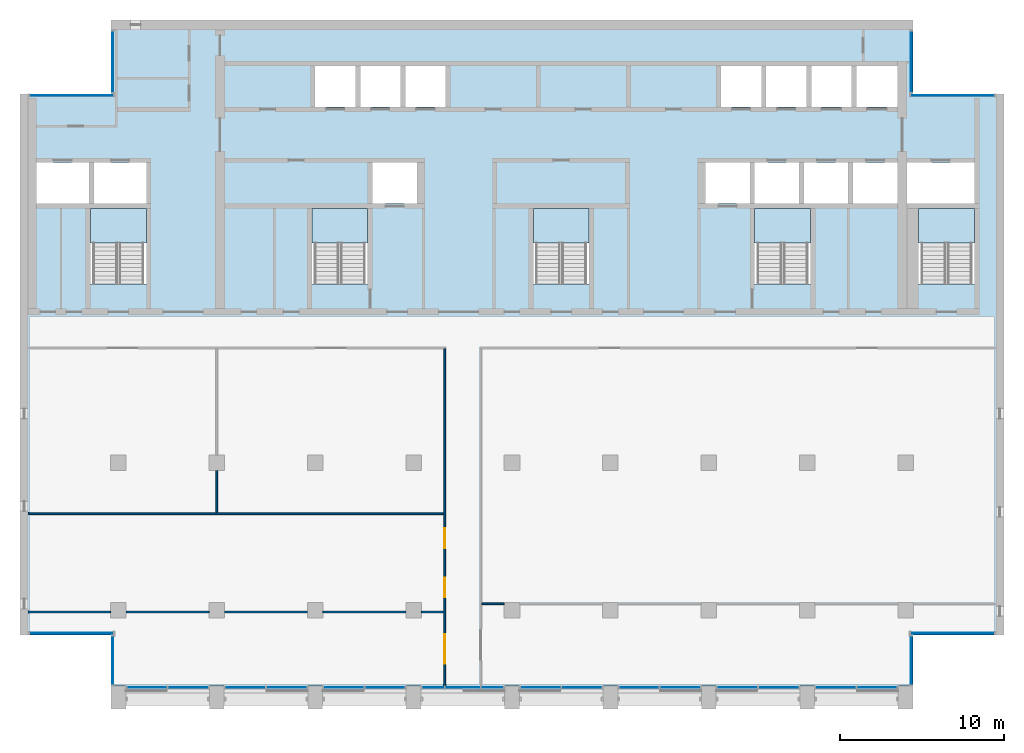
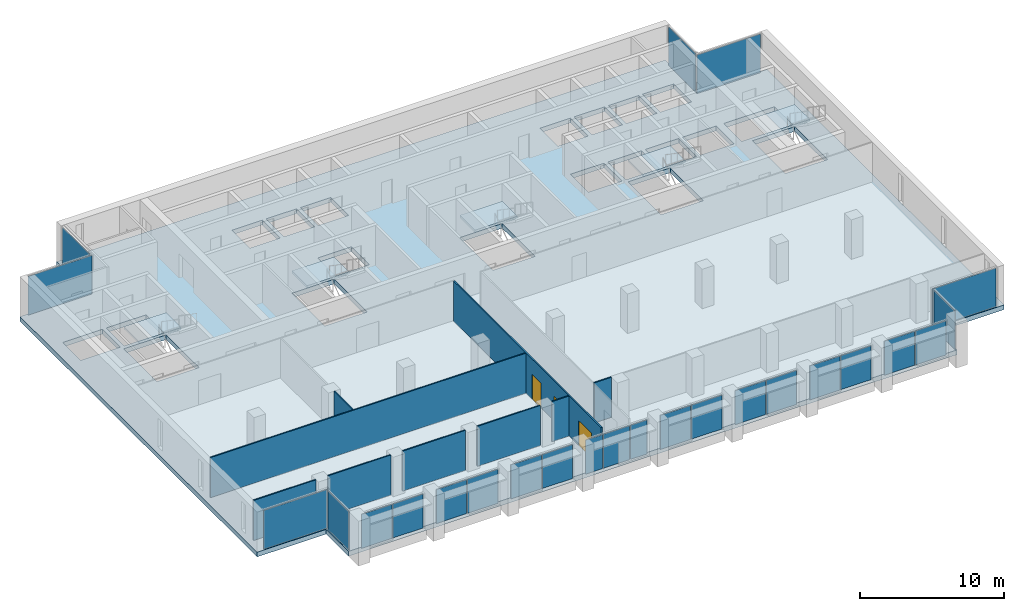
# One storey, part 6 of 14: 25 plates, 9 walls, 6 slabs, 3 doors, 3 openings, 21 elements without a shape of their own.
"""IFC4 building model written with IfcOpenShell, lengths in metres."""

from ifc_helpers import new_model, si_unit, direction, frame, frame_2d, origin, origin_2d, place, context, subcontext, project, spatial, polyline, rectangle, outline, extrude, material, layer, layer_set, type_object, element, fill, aggregate, save


model = new_model("IFC4")

# Units and contexts
model_context = context("Model", 3, precision=1e-05, world=origin(), true_north=direction((0.0, 1.0)))
body_context = subcontext(model_context, "Body", "Model", "MODEL_VIEW")
ifc_project = project(units=[si_unit("LENGTHUNIT", "METRE"), si_unit("AREAUNIT", "SQUARE_METRE"), si_unit("VOLUMEUNIT", "CUBIC_METRE"), si_unit("PLANEANGLEUNIT", "RADIAN"), si_unit("MASSUNIT", "GRAM", prefix="KILO")], contexts=[model_context])

# Site, building, storey
site_placement = place(None, origin())
site = spatial("IfcSite", under=ifc_project, at=site_placement, CompositionType="ELEMENT")
building_placement = place(site_placement, origin())
building = spatial("IfcBuilding", under=site, at=building_placement, Name="Calvaro Tower", CompositionType="ELEMENT")
storey_placement = place(building_placement, frame((0.0, 0.0, 235.550048828125)))
storey = spatial("IfcBuildingStorey", under=building, at=storey_placement, Name="L59", CompositionType="ELEMENT", Elevation=235.550048828125)

# Slab
ifc_material_1 = material(Name="Concrete C40/50", Category="concrete")
ifc_layer_1 = layer(ifc_material_1, 0.39990234375)
ifc_layer_set_1 = layer_set([ifc_layer_1], Name="Concrete C40/50")
slab_type_1 = type_object("IfcSlabType", Name="Floor slab 400 C40/50", PredefinedType="FLOOR", material=ifc_layer_set_1)
slab_1_placement = place(storey_placement, frame((0.0, 0.0, -0.400146484375)))
element("IfcSlab", 1, at=slab_1_placement, inside=storey, type_object=slab_type_1, Name="Floor slab", PredefinedType="FLOOR", context=body_context, shape_type="SweptSolid", body=[
    extrude(outline(polyline([(60.449951171875, 8.5), (60.449951171875, 5.39990234375), (11.550048828125, 5.39990234375), (11.550048828125, 8.5), (6.0, 8.5), (6.0, 41.5), (11.550048828125, 41.5), (11.550048828125, 46.0), (60.449951171875, 46.0), (60.449951171875, 41.5), (66.0, 41.5), (66.0, 8.5), (60.449951171875, 8.5)]), holes=[polyline([(10.300048828125, 29.909912109375), (10.300048828125, 34.5), (12.0, 34.5), (13.699951171875, 34.5), (13.699951171875, 29.909912109375), (12.0, 29.909912109375), (10.300048828125, 29.909912109375)]), polyline([(23.800048828125, 29.909912109375), (23.800048828125, 34.5), (25.5, 34.5), (27.199951171875, 34.5), (27.199951171875, 29.909912109375), (25.5, 29.909912109375), (23.800048828125, 29.909912109375)]), polyline([(37.300048828125, 29.909912109375), (37.300048828125, 34.5), (39.0, 34.5), (40.699951171875, 34.5), (40.699951171875, 29.909912109375), (39.0, 29.909912109375), (37.300048828125, 29.909912109375)]), polyline([(50.800048828125, 29.909912109375), (50.800048828125, 34.5), (52.5, 34.5), (54.199951171875, 34.5), (54.199951171875, 29.909912109375), (52.5, 29.909912109375), (50.800048828125, 29.909912109375)]), polyline([(60.800048828125, 29.909912109375), (60.800048828125, 34.5), (62.5, 34.5), (64.199951171875, 34.5), (64.199951171875, 29.909912109375), (62.5, 29.909912109375), (60.800048828125, 29.909912109375)]), polyline([(50.800048828125, 34.800048828125), (53.5, 34.800048828125), (53.5, 37.300048828125), (50.800048828125, 37.300048828125), (50.800048828125, 34.800048828125)]), polyline([(53.800048828125, 34.800048828125), (56.5, 34.800048828125), (56.5, 37.300048828125), (53.800048828125, 37.300048828125), (53.800048828125, 34.800048828125)]), polyline([(56.800048828125, 34.800048828125), (59.5, 34.800048828125), (59.5, 37.300048828125), (56.800048828125, 37.300048828125), (56.800048828125, 34.800048828125)]), polyline([(24.0, 40.699951171875), (26.449951171875, 40.699951171875), (26.449951171875, 43.199951171875), (24.0, 43.199951171875), (24.0, 40.699951171875)]), polyline([(26.75, 40.699951171875), (29.199951171875, 40.699951171875), (29.199951171875, 43.199951171875), (26.75, 43.199951171875), (26.75, 40.699951171875)]), polyline([(29.5, 40.699951171875), (31.949951171875, 40.699951171875), (31.949951171875, 43.199951171875), (29.5, 43.199951171875), (29.5, 40.699951171875)]), polyline([(48.75, 40.699951171875), (51.199951171875, 40.699951171875), (51.199951171875, 43.199951171875), (48.75, 43.199951171875), (48.75, 40.699951171875)]), polyline([(51.5, 40.699951171875), (53.949951171875, 40.699951171875), (53.949951171875, 43.199951171875), (51.5, 43.199951171875), (51.5, 40.699951171875)]), polyline([(54.25, 40.699951171875), (56.699951171875, 40.699951171875), (56.699951171875, 43.199951171875), (54.25, 43.199951171875), (54.25, 40.699951171875)]), polyline([(57.0, 40.699951171875), (59.5, 40.699951171875), (59.5, 43.199951171875), (57.0, 43.199951171875), (57.0, 40.699951171875)]), polyline([(7.0, 34.800048828125), (10.199951171875, 34.800048828125), (10.199951171875, 37.300048828125), (7.0, 37.300048828125), (7.0, 34.800048828125)]), polyline([(10.5, 34.800048828125), (13.699951171875, 34.800048828125), (13.699951171875, 37.300048828125), (10.5, 37.300048828125), (10.5, 34.800048828125)]), polyline([(60.10009765625, 34.800048828125), (64.199951171875, 34.800048828125), (64.199951171875, 37.300048828125), (60.10009765625, 37.300048828125), (60.10009765625, 34.800048828125)]), polyline([(27.5, 34.800048828125), (30.199951171875, 34.800048828125), (30.199951171875, 37.300048828125), (27.5, 37.300048828125), (27.5, 34.800048828125)]), polyline([(47.800048828125, 34.800048828125), (50.5, 34.800048828125), (50.5, 37.300048828125), (47.800048828125, 37.300048828125), (47.800048828125, 34.800048828125)])]), origin(), (0.0, 0.0, 1.0), 0.400146484375),
])

# Curtain wall, plates
ifc_material_2 = material(Name="Anodised aluminium", Category="aluminium")
curtain_wall_type = type_object("IfcCurtainWallType", Name="Executive curtain wall", PredefinedType="NOTDEFINED", material=ifc_material_2)
curtain_wall_1_placement = place(storey_placement, origin())
curtain_wall_1 = element("IfcCurtainWall", 2, at=curtain_wall_1_placement, inside=storey, type_object=curtain_wall_type, Name="CW4 south curtain wall", PredefinedType="NOTDEFINED")
ifc_material_3 = material(Name="Glass", Category="glass")
ifc_layer_2 = layer(ifc_material_3, 0.0400390625)
ifc_layer_set_2 = layer_set([ifc_layer_2], Name="Glass")
plate_type = type_object("IfcPlateType", Name="Glass panel S4 40", PredefinedType="CURTAIN_PANEL", material=ifc_layer_set_2)
plate_1_placement = place(storey_placement, frame((13.7451171875, 5.2900390625, 0.0), z_axis=(0.0, 0.0, 1.0), x_axis=(1.0, 0.0, 0.0)))
plate_1 = element("IfcPlate", 3, at=plate_1_placement, type_object=plate_type, Name="CW4 glass panel 1.1", PredefinedType="CURTAIN_PANEL", context=body_context, shape_type="SweptSolid", body=[
    extrude(rectangle(XDim=2.429931640625, YDim=0.0400390625, at=origin_2d()), origin(), (0.0, 0.0, 1.0), 2.8798828125),
])
plate_2_placement = place(storey_placement, frame((16.2548828125, 5.2900390625, 0.0), z_axis=(0.0, 0.0, 1.0), x_axis=(1.0, 0.0, 0.0)))
plate_2 = element("IfcPlate", 4, at=plate_2_placement, type_object=plate_type, Name="CW4 glass panel 2.1", PredefinedType="CURTAIN_PANEL", context=body_context, shape_type="SweptSolid", body=[
    extrude(rectangle(XDim=2.429931640625, YDim=0.0400390625, at=origin_2d()), origin(), (0.0, 0.0, 1.0), 2.8798828125),
])
aggregate(curtain_wall_1, [plate_1, plate_2])

curtain_wall_2_placement = place(storey_placement, origin())
curtain_wall_2 = element("IfcCurtainWall", 5, at=curtain_wall_2_placement, inside=storey, type_object=curtain_wall_type, Name="CW4 south curtain wall", PredefinedType="NOTDEFINED")
plate_3_placement = place(storey_placement, frame((19.7451171875, 5.2900390625, 0.0), z_axis=(0.0, 0.0, 1.0), x_axis=(1.0, 0.0, 0.0)))
plate_3 = element("IfcPlate", 6, at=plate_3_placement, type_object=plate_type, Name="CW4 glass panel 1.1", PredefinedType="CURTAIN_PANEL", context=body_context, shape_type="SweptSolid", body=[
    extrude(rectangle(XDim=2.429931640625, YDim=0.0400390625, at=origin_2d()), origin(), (0.0, 0.0, 1.0), 2.8798828125),
])
plate_4_placement = place(storey_placement, frame((22.2548828125, 5.2900390625, 0.0), z_axis=(0.0, 0.0, 1.0), x_axis=(1.0, 0.0, 0.0)))
plate_4 = element("IfcPlate", 7, at=plate_4_placement, type_object=plate_type, Name="CW4 glass panel 2.1", PredefinedType="CURTAIN_PANEL", context=body_context, shape_type="SweptSolid", body=[
    extrude(rectangle(XDim=2.429931640625, YDim=0.0400390625, at=origin_2d()), origin(), (0.0, 0.0, 1.0), 2.8798828125),
])
aggregate(curtain_wall_2, [plate_3, plate_4])

curtain_wall_3_placement = place(storey_placement, origin())
curtain_wall_3 = element("IfcCurtainWall", 8, at=curtain_wall_3_placement, inside=storey, type_object=curtain_wall_type, Name="CW4 south curtain wall", PredefinedType="NOTDEFINED")
plate_5_placement = place(storey_placement, frame((25.7451171875, 5.2900390625, 0.0), z_axis=(0.0, 0.0, 1.0), x_axis=(1.0, 0.0, 0.0)))
plate_5 = element("IfcPlate", 9, at=plate_5_placement, type_object=plate_type, Name="CW4 glass panel 1.1", PredefinedType="CURTAIN_PANEL", context=body_context, shape_type="SweptSolid", body=[
    extrude(rectangle(XDim=2.429931640625, YDim=0.0400390625, at=origin_2d()), origin(), (0.0, 0.0, 1.0), 2.8798828125),
])
plate_6_placement = place(storey_placement, frame((28.2548828125, 5.2900390625, 0.0), z_axis=(0.0, 0.0, 1.0), x_axis=(1.0, 0.0, 0.0)))
plate_6 = element("IfcPlate", 10, at=plate_6_placement, type_object=plate_type, Name="CW4 glass panel 2.1", PredefinedType="CURTAIN_PANEL", context=body_context, shape_type="SweptSolid", body=[
    extrude(rectangle(XDim=2.429931640625, YDim=0.0400390625, at=origin_2d()), origin(), (0.0, 0.0, 1.0), 2.8798828125),
])
aggregate(curtain_wall_3, [plate_5, plate_6])

curtain_wall_4_placement = place(storey_placement, origin())
curtain_wall_4 = element("IfcCurtainWall", 11, at=curtain_wall_4_placement, inside=storey, type_object=curtain_wall_type, Name="CW4 south curtain wall", PredefinedType="NOTDEFINED")
plate_7_placement = place(storey_placement, frame((31.195068359375, 5.2900390625, 0.0), z_axis=(0.0, 0.0, 1.0), x_axis=(1.0, 0.0, 0.0)))
plate_7 = element("IfcPlate", 12, at=plate_7_placement, type_object=plate_type, Name="CW4 glass panel 1.1", PredefinedType="CURTAIN_PANEL", context=body_context, shape_type="SweptSolid", body=[
    extrude(rectangle(XDim=1.330078125, YDim=0.0400390625, at=origin_2d()), origin(), (0.0, 0.0, 1.0), 2.8798828125),
])
plate_8_placement = place(storey_placement, frame((33.0, 5.2900390625, 0.0), z_axis=(0.0, 0.0, 1.0), x_axis=(1.0, 0.0, 0.0)))
plate_8 = element("IfcPlate", 13, at=plate_8_placement, type_object=plate_type, Name="CW4 glass panel 2.1", PredefinedType="CURTAIN_PANEL", context=body_context, shape_type="SweptSolid", body=[
    extrude(rectangle(XDim=2.1201171875, YDim=0.0400390625, at=origin_2d()), origin(), (0.0, 0.0, 1.0), 2.8798828125),
])
plate_9_placement = place(storey_placement, frame((34.804931640625, 5.2900390625, 0.0), z_axis=(0.0, 0.0, 1.0), x_axis=(1.0, 0.0, 0.0)))
plate_9 = element("IfcPlate", 14, at=plate_9_placement, type_object=plate_type, Name="CW4 glass panel 3.1", PredefinedType="CURTAIN_PANEL", context=body_context, shape_type="SweptSolid", body=[
    extrude(rectangle(XDim=1.330078125, YDim=0.0400390625, at=origin_2d()), origin(), (0.0, 0.0, 1.0), 2.8798828125),
])
aggregate(curtain_wall_4, [plate_7, plate_8, plate_9])

curtain_wall_5_placement = place(storey_placement, origin())
curtain_wall_5 = element("IfcCurtainWall", 15, at=curtain_wall_5_placement, inside=storey, type_object=curtain_wall_type, Name="CW4 south curtain wall", PredefinedType="NOTDEFINED")
plate_10_placement = place(storey_placement, frame((37.7451171875, 5.2900390625, 0.0), z_axis=(0.0, 0.0, 1.0), x_axis=(1.0, 0.0, 0.0)))
plate_10 = element("IfcPlate", 16, at=plate_10_placement, type_object=plate_type, Name="CW4 glass panel 1.1", PredefinedType="CURTAIN_PANEL", context=body_context, shape_type="SweptSolid", body=[
    extrude(rectangle(XDim=2.429931640625, YDim=0.0400390625, at=origin_2d()), origin(), (0.0, 0.0, 1.0), 2.8798828125),
])
plate_11_placement = place(storey_placement, frame((40.2548828125, 5.2900390625, 0.0), z_axis=(0.0, 0.0, 1.0), x_axis=(1.0, 0.0, 0.0)))
plate_11 = element("IfcPlate", 17, at=plate_11_placement, type_object=plate_type, Name="CW4 glass panel 2.1", PredefinedType="CURTAIN_PANEL", context=body_context, shape_type="SweptSolid", body=[
    extrude(rectangle(XDim=2.429931640625, YDim=0.0400390625, at=origin_2d()), origin(), (0.0, 0.0, 1.0), 2.8798828125),
])
aggregate(curtain_wall_5, [plate_10, plate_11])

curtain_wall_6_placement = place(storey_placement, origin())
curtain_wall_6 = element("IfcCurtainWall", 18, at=curtain_wall_6_placement, inside=storey, type_object=curtain_wall_type, Name="CW4 south curtain wall", PredefinedType="NOTDEFINED")
plate_12_placement = place(storey_placement, frame((43.7451171875, 5.2900390625, 0.0), z_axis=(0.0, 0.0, 1.0), x_axis=(1.0, 0.0, 0.0)))
plate_12 = element("IfcPlate", 19, at=plate_12_placement, type_object=plate_type, Name="CW4 glass panel 1.1", PredefinedType="CURTAIN_PANEL", context=body_context, shape_type="SweptSolid", body=[
    extrude(rectangle(XDim=2.429931640625, YDim=0.0400390625, at=origin_2d()), origin(), (0.0, 0.0, 1.0), 2.8798828125),
])
plate_13_placement = place(storey_placement, frame((46.2548828125, 5.2900390625, 0.0), z_axis=(0.0, 0.0, 1.0), x_axis=(1.0, 0.0, 0.0)))
plate_13 = element("IfcPlate", 20, at=plate_13_placement, type_object=plate_type, Name="CW4 glass panel 2.1", PredefinedType="CURTAIN_PANEL", context=body_context, shape_type="SweptSolid", body=[
    extrude(rectangle(XDim=2.429931640625, YDim=0.0400390625, at=origin_2d()), origin(), (0.0, 0.0, 1.0), 2.8798828125),
])
aggregate(curtain_wall_6, [plate_12, plate_13])

curtain_wall_7_placement = place(storey_placement, origin())
curtain_wall_7 = element("IfcCurtainWall", 21, at=curtain_wall_7_placement, inside=storey, type_object=curtain_wall_type, Name="CW4 south curtain wall", PredefinedType="NOTDEFINED")
plate_14_placement = place(storey_placement, frame((49.7451171875, 5.2900390625, 0.0), z_axis=(0.0, 0.0, 1.0), x_axis=(1.0, 0.0, 0.0)))
plate_14 = element("IfcPlate", 22, at=plate_14_placement, type_object=plate_type, Name="CW4 glass panel 1.1", PredefinedType="CURTAIN_PANEL", context=body_context, shape_type="SweptSolid", body=[
    extrude(rectangle(XDim=2.429931640625, YDim=0.0400390625, at=origin_2d()), origin(), (0.0, 0.0, 1.0), 2.8798828125),
])
plate_15_placement = place(storey_placement, frame((52.2548828125, 5.2900390625, 0.0), z_axis=(0.0, 0.0, 1.0), x_axis=(1.0, 0.0, 0.0)))
plate_15 = element("IfcPlate", 23, at=plate_15_placement, type_object=plate_type, Name="CW4 glass panel 2.1", PredefinedType="CURTAIN_PANEL", context=body_context, shape_type="SweptSolid", body=[
    extrude(rectangle(XDim=2.429931640625, YDim=0.0400390625, at=origin_2d()), origin(), (0.0, 0.0, 1.0), 2.8798828125),
])
aggregate(curtain_wall_7, [plate_14, plate_15])

curtain_wall_8_placement = place(storey_placement, origin())
curtain_wall_8 = element("IfcCurtainWall", 24, at=curtain_wall_8_placement, inside=storey, type_object=curtain_wall_type, Name="CW4 south curtain wall", PredefinedType="NOTDEFINED")
plate_16_placement = place(storey_placement, frame((55.7451171875, 5.2900390625, 0.0), z_axis=(0.0, 0.0, 1.0), x_axis=(1.0, 0.0, 0.0)))
plate_16 = element("IfcPlate", 25, at=plate_16_placement, type_object=plate_type, Name="CW4 glass panel 1.1", PredefinedType="CURTAIN_PANEL", context=body_context, shape_type="SweptSolid", body=[
    extrude(rectangle(XDim=2.429931640625, YDim=0.0400390625, at=origin_2d()), origin(), (0.0, 0.0, 1.0), 2.8798828125),
])
plate_17_placement = place(storey_placement, frame((58.2548828125, 5.2900390625, 0.0), z_axis=(0.0, 0.0, 1.0), x_axis=(1.0, 0.0, 0.0)))
plate_17 = element("IfcPlate", 26, at=plate_17_placement, type_object=plate_type, Name="CW4 glass panel 2.1", PredefinedType="CURTAIN_PANEL", context=body_context, shape_type="SweptSolid", body=[
    extrude(rectangle(XDim=2.429931640625, YDim=0.0400390625, at=origin_2d()), origin(), (0.0, 0.0, 1.0), 2.8798828125),
])
aggregate(curtain_wall_8, [plate_16, plate_17])

# Curtain wall, plate
curtain_wall_9_placement = place(storey_placement, origin())
curtain_wall_9 = element("IfcCurtainWall", 27, at=curtain_wall_9_placement, inside=storey, type_object=curtain_wall_type, Name="CW4 corner curtain wall", PredefinedType="NOTDEFINED")
plate_18_placement = place(storey_placement, frame((11.659912109375, 6.949951171875, 0.0), z_axis=(0.0, 0.0, 1.0), x_axis=(0.0, 1.0, 0.0)))
plate_18 = element("IfcPlate", 28, at=plate_18_placement, type_object=plate_type, Name="CW4 glass panel 1.1", PredefinedType="CURTAIN_PANEL", context=body_context, shape_type="SweptSolid", body=[
    extrude(rectangle(XDim=2.93994140625, YDim=0.0400390625, at=origin_2d()), origin(), (0.0, 0.0, 1.0), 3.280029296875),
])
aggregate(curtain_wall_9, [plate_18])

curtain_wall_10_placement = place(storey_placement, origin())
curtain_wall_10 = element("IfcCurtainWall", 29, at=curtain_wall_10_placement, inside=storey, type_object=curtain_wall_type, Name="CW4 corner curtain wall", PredefinedType="NOTDEFINED")
plate_19_placement = place(storey_placement, frame((9.135009765625, 8.610107421875, 0.0), z_axis=(0.0, 0.0, 1.0), x_axis=(1.0, 0.0, 0.0)))
plate_19 = element("IfcPlate", 30, at=plate_19_placement, type_object=plate_type, Name="CW4 glass panel 1.1", PredefinedType="CURTAIN_PANEL", context=body_context, shape_type="SweptSolid", body=[
    extrude(rectangle(XDim=5.110107421875, YDim=0.0400390625, at=origin_2d()), origin(), (0.0, 0.0, 1.0), 3.280029296875),
])
aggregate(curtain_wall_10, [plate_19])

curtain_wall_11_placement = place(storey_placement, origin())
curtain_wall_11 = element("IfcCurtainWall", 31, at=curtain_wall_11_placement, inside=storey, type_object=curtain_wall_type, Name="CW4 corner curtain wall", PredefinedType="NOTDEFINED")
plate_20_placement = place(storey_placement, frame((11.659912109375, 43.449951171875, 0.0), z_axis=(0.0, 0.0, 1.0), x_axis=(0.0, 1.0, 0.0)))
plate_20 = element("IfcPlate", 32, at=plate_20_placement, type_object=plate_type, Name="CW4 glass panel 1.1", PredefinedType="CURTAIN_PANEL", context=body_context, shape_type="SweptSolid", body=[
    extrude(rectangle(XDim=3.739990234375, YDim=0.0400390625, at=origin_2d()), origin(), (0.0, 0.0, 1.0), 3.280029296875),
])
aggregate(curtain_wall_11, [plate_20])

curtain_wall_12_placement = place(storey_placement, origin())
curtain_wall_12 = element("IfcCurtainWall", 33, at=curtain_wall_12_placement, inside=storey, type_object=curtain_wall_type, Name="CW4 corner curtain wall", PredefinedType="NOTDEFINED")
plate_21_placement = place(storey_placement, frame((9.135009765625, 41.389892578125, 0.0), z_axis=(0.0, 0.0, 1.0), x_axis=(1.0, 0.0, 0.0)))
plate_21 = element("IfcPlate", 34, at=plate_21_placement, type_object=plate_type, Name="CW4 glass panel 1.1", PredefinedType="CURTAIN_PANEL", context=body_context, shape_type="SweptSolid", body=[
    extrude(rectangle(XDim=5.110107421875, YDim=0.0400390625, at=origin_2d()), origin(), (0.0, 0.0, 1.0), 3.280029296875),
])
aggregate(curtain_wall_12, [plate_21])

curtain_wall_13_placement = place(storey_placement, origin())
curtain_wall_13 = element("IfcCurtainWall", 35, at=curtain_wall_13_placement, inside=storey, type_object=curtain_wall_type, Name="CW4 corner curtain wall", PredefinedType="NOTDEFINED")
plate_22_placement = place(storey_placement, frame((60.340087890625, 6.949951171875, 0.0), z_axis=(0.0, 0.0, 1.0), x_axis=(0.0, 1.0, 0.0)))
plate_22 = element("IfcPlate", 36, at=plate_22_placement, type_object=plate_type, Name="CW4 glass panel 1.1", PredefinedType="CURTAIN_PANEL", context=body_context, shape_type="SweptSolid", body=[
    extrude(rectangle(XDim=2.93994140625, YDim=0.0400390625, at=origin_2d()), origin(), (0.0, 0.0, 1.0), 3.280029296875),
])
aggregate(curtain_wall_13, [plate_22])

curtain_wall_14_placement = place(storey_placement, origin())
curtain_wall_14 = element("IfcCurtainWall", 37, at=curtain_wall_14_placement, inside=storey, type_object=curtain_wall_type, Name="CW4 corner curtain wall", PredefinedType="NOTDEFINED")
plate_23_placement = place(storey_placement, frame((62.864990234375, 8.610107421875, 0.0), z_axis=(0.0, 0.0, 1.0), x_axis=(1.0, 0.0, 0.0)))
plate_23 = element("IfcPlate", 38, at=plate_23_placement, type_object=plate_type, Name="CW4 glass panel 1.1", PredefinedType="CURTAIN_PANEL", context=body_context, shape_type="SweptSolid", body=[
    extrude(rectangle(XDim=5.110107421875, YDim=0.0400390625, at=origin_2d()), origin(), (0.0, 0.0, 1.0), 3.280029296875),
])
aggregate(curtain_wall_14, [plate_23])

curtain_wall_15_placement = place(storey_placement, origin())
curtain_wall_15 = element("IfcCurtainWall", 39, at=curtain_wall_15_placement, inside=storey, type_object=curtain_wall_type, Name="CW4 corner curtain wall", PredefinedType="NOTDEFINED")
plate_24_placement = place(storey_placement, frame((60.340087890625, 43.449951171875, 0.0), z_axis=(0.0, 0.0, 1.0), x_axis=(0.0, 1.0, 0.0)))
plate_24 = element("IfcPlate", 40, at=plate_24_placement, type_object=plate_type, Name="CW4 glass panel 1.1", PredefinedType="CURTAIN_PANEL", context=body_context, shape_type="SweptSolid", body=[
    extrude(rectangle(XDim=3.739990234375, YDim=0.0400390625, at=origin_2d()), origin(), (0.0, 0.0, 1.0), 3.280029296875),
])
aggregate(curtain_wall_15, [plate_24])

curtain_wall_16_placement = place(storey_placement, origin())
curtain_wall_16 = element("IfcCurtainWall", 41, at=curtain_wall_16_placement, inside=storey, type_object=curtain_wall_type, Name="CW4 corner curtain wall", PredefinedType="NOTDEFINED")
plate_25_placement = place(storey_placement, frame((62.864990234375, 41.389892578125, 0.0), z_axis=(0.0, 0.0, 1.0), x_axis=(1.0, 0.0, 0.0)))
plate_25 = element("IfcPlate", 42, at=plate_25_placement, type_object=plate_type, Name="CW4 glass panel 1.1", PredefinedType="CURTAIN_PANEL", context=body_context, shape_type="SweptSolid", body=[
    extrude(rectangle(XDim=5.110107421875, YDim=0.0400390625, at=origin_2d()), origin(), (0.0, 0.0, 1.0), 3.280029296875),
])
aggregate(curtain_wall_16, [plate_25])

# Stair, slab
ifc_material_4 = material(Name="Concrete C40/50", Category="concrete")
stair_type = type_object("IfcStairType", Name="Exit stair 1400 2 flights", PredefinedType="HALF_TURN_STAIR", material=ifc_material_4)
stair_1_placement = place(storey_placement, origin())
stair_1 = element("IfcStair", 43, at=stair_1_placement, inside=storey, type_object=stair_type, Name="Exit stair S1", PredefinedType="HALF_TURN_STAIR")
ifc_material_5 = material(Name="Concrete C40/50", Category="concrete")
ifc_layer_3 = layer(ifc_material_5, 0.199951171875)
ifc_layer_set_3 = layer_set([ifc_layer_3], Name="Concrete C40/50")
slab_type_2 = type_object("IfcSlabType", Name="Stair landing", PredefinedType="LANDING", material=ifc_layer_set_3)
slab_2_placement = place(storey_placement, frame((0.0, 0.0, 1.699951171875)))
slab_2 = element("IfcSlab", 44, at=slab_2_placement, type_object=slab_type_2, Name="Exit stair 1, landing 1", PredefinedType="LANDING", context=body_context, shape_type="SweptSolid", body=[
    extrude(outline(polyline([(11.89990234375, 32.389892578125), (10.5, 32.389892578125), (10.5, 32.39990234375), (10.300048828125, 32.39990234375), (10.300048828125, 34.5), (10.5, 34.5), (11.89990234375, 34.5), (12.10009765625, 34.5), (13.5, 34.5), (13.699951171875, 34.5), (13.699951171875, 32.39990234375), (13.5, 32.39990234375), (13.5, 32.389892578125), (12.10009765625, 32.389892578125), (12.10009765625, 32.39990234375), (11.89990234375, 32.39990234375), (11.89990234375, 32.389892578125)])), origin(), (0.0, 0.0, 1.0), 0.199951171875),
])
aggregate(stair_1, [slab_2])

stair_2_placement = place(storey_placement, origin())
stair_2 = element("IfcStair", 45, at=stair_2_placement, inside=storey, type_object=stair_type, Name="Exit stair S2", PredefinedType="HALF_TURN_STAIR")
slab_3_placement = place(storey_placement, frame((0.0, 0.0, 1.699951171875)))
slab_3 = element("IfcSlab", 46, at=slab_3_placement, type_object=slab_type_2, Name="Exit stair 2, landing 1", PredefinedType="LANDING", context=body_context, shape_type="SweptSolid", body=[
    extrude(outline(polyline([(25.39990234375, 32.389892578125), (24.0, 32.389892578125), (24.0, 32.39990234375), (23.800048828125, 32.39990234375), (23.800048828125, 34.5), (24.0, 34.5), (25.39990234375, 34.5), (25.60009765625, 34.5), (27.0, 34.5), (27.199951171875, 34.5), (27.199951171875, 32.39990234375), (27.0, 32.39990234375), (27.0, 32.389892578125), (25.60009765625, 32.389892578125), (25.60009765625, 32.39990234375), (25.39990234375, 32.39990234375), (25.39990234375, 32.389892578125)])), origin(), (0.0, 0.0, 1.0), 0.199951171875),
])
aggregate(stair_2, [slab_3])

stair_3_placement = place(storey_placement, origin())
stair_3 = element("IfcStair", 47, at=stair_3_placement, inside=storey, type_object=stair_type, Name="Exit stair S3", PredefinedType="HALF_TURN_STAIR")
slab_4_placement = place(storey_placement, frame((0.0, 0.0, 1.699951171875)))
slab_4 = element("IfcSlab", 48, at=slab_4_placement, type_object=slab_type_2, Name="Exit stair 3, landing 1", PredefinedType="LANDING", context=body_context, shape_type="SweptSolid", body=[
    extrude(outline(polyline([(38.89990234375, 32.389892578125), (37.5, 32.389892578125), (37.5, 32.39990234375), (37.300048828125, 32.39990234375), (37.300048828125, 34.5), (37.5, 34.5), (38.89990234375, 34.5), (39.10009765625, 34.5), (40.5, 34.5), (40.699951171875, 34.5), (40.699951171875, 32.39990234375), (40.5, 32.39990234375), (40.5, 32.389892578125), (39.10009765625, 32.389892578125), (39.10009765625, 32.39990234375), (38.89990234375, 32.39990234375), (38.89990234375, 32.389892578125)])), origin(), (0.0, 0.0, 1.0), 0.199951171875),
])
aggregate(stair_3, [slab_4])

stair_4_placement = place(storey_placement, origin())
stair_4 = element("IfcStair", 49, at=stair_4_placement, inside=storey, type_object=stair_type, Name="Exit stair S4", PredefinedType="HALF_TURN_STAIR")
slab_5_placement = place(storey_placement, frame((0.0, 0.0, 1.699951171875)))
slab_5 = element("IfcSlab", 50, at=slab_5_placement, type_object=slab_type_2, Name="Exit stair 4, landing 1", PredefinedType="LANDING", context=body_context, shape_type="SweptSolid", body=[
    extrude(outline(polyline([(52.39990234375, 32.389892578125), (51.0, 32.389892578125), (51.0, 32.39990234375), (50.800048828125, 32.39990234375), (50.800048828125, 34.5), (51.0, 34.5), (52.39990234375, 34.5), (52.60009765625, 34.5), (54.0, 34.5), (54.199951171875, 34.5), (54.199951171875, 32.39990234375), (54.0, 32.39990234375), (54.0, 32.389892578125), (52.60009765625, 32.389892578125), (52.60009765625, 32.39990234375), (52.39990234375, 32.39990234375), (52.39990234375, 32.389892578125)])), origin(), (0.0, 0.0, 1.0), 0.199951171875),
])
aggregate(stair_4, [slab_5])

stair_5_placement = place(storey_placement, origin())
stair_5 = element("IfcStair", 51, at=stair_5_placement, inside=storey, type_object=stair_type, Name="Exit stair S5", PredefinedType="HALF_TURN_STAIR")
slab_6_placement = place(storey_placement, frame((0.0, 0.0, 1.699951171875)))
slab_6 = element("IfcSlab", 52, at=slab_6_placement, type_object=slab_type_2, Name="Exit stair 5, landing 1", PredefinedType="LANDING", context=body_context, shape_type="SweptSolid", body=[
    extrude(outline(polyline([(62.39990234375, 32.389892578125), (61.0, 32.389892578125), (61.0, 32.39990234375), (60.800048828125, 32.39990234375), (60.800048828125, 34.5), (61.0, 34.5), (62.39990234375, 34.5), (62.60009765625, 34.5), (64.0, 34.5), (64.199951171875, 34.5), (64.199951171875, 32.39990234375), (64.0, 32.39990234375), (64.0, 32.389892578125), (62.60009765625, 32.389892578125), (62.60009765625, 32.39990234375), (62.39990234375, 32.39990234375), (62.39990234375, 32.389892578125)])), origin(), (0.0, 0.0, 1.0), 0.199951171875),
])
aggregate(stair_5, [slab_6])

# Walls
ifc_material_6 = material(Name="Plasterboard on steel studs", Category="steel")
ifc_layer_4 = layer(ifc_material_6, 0.10009765625)
ifc_layer_set_4 = layer_set([ifc_layer_4], Name="Plasterboard on steel studs")
wall_type = type_object("IfcWallType", Name="Partition 100", PredefinedType="PARTITIONING", material=ifc_layer_set_4)
wall_1_placement = place(storey_placement, frame((30.47509765625, 9.89990234375, 0.0), z_axis=(0.0, 0.0, 1.0), x_axis=(1.0, 0.0, 0.0)))
element("IfcWall", 53, at=wall_1_placement, inside=storey, type_object=wall_type, Name="Partition T34.W001", PredefinedType="PARTITIONING", context=body_context, shape_type="SweptSolid", body=[
    extrude(rectangle(XDim=1.375, YDim=0.10009765625, at=frame_2d((0.6875, 0.0))), origin(), (0.0, 0.0, 1.0), 3.39990234375),
])
for number, where, z_axis, x_axis, name in (
    (54, (24.47509765625, 9.89990234375, 0.0), (0.0, 0.0, 1.0), (1.0, 0.0, 0.0), "Partition T34.W002"),
    (55, (18.47509765625, 9.89990234375, 0.0), (0.0, 0.0, 1.0), (1.0, 0.0, 0.0), "Partition T34.W003"),
    (56, (12.47509765625, 9.89990234375, 0.0), (0.0, 0.0, 1.0), (1.0, 0.0, 0.0), "Partition T34.W004"),
):
    element("IfcWall", number, at=place(storey_placement, frame(where, z_axis=z_axis, x_axis=x_axis)), inside=storey, type_object=wall_type, Name=name, PredefinedType="PARTITIONING", context=body_context, shape_type="SweptSolid", body=[
        extrude(rectangle(XDim=5.0498046875, YDim=0.10009765625, at=frame_2d((2.52490234375, 0.0))), origin(), (0.0, 0.0, 1.0), 3.39990234375),
    ])
wall_2_placement = place(storey_placement, frame((6.5, 9.89990234375, 0.0), z_axis=(0.0, 0.0, 1.0), x_axis=(1.0, 0.0, 0.0)))
element("IfcWall", 57, at=wall_2_placement, inside=storey, type_object=wall_type, Name="Partition T34.W005", PredefinedType="PARTITIONING", context=body_context, shape_type="SweptSolid", body=[
    extrude(rectangle(XDim=5.02490234375, YDim=0.10009765625, at=frame_2d((2.512451171875, 0.0))), origin(), (0.0, 0.0, 1.0), 3.39990234375),
])
wall_3_placement = place(storey_placement, frame((34.14990234375, 10.39990234375, 0.0), z_axis=(0.0, 0.0, 1.0), x_axis=(1.0, 0.0, 0.0)))
element("IfcWall", 58, at=wall_3_placement, inside=storey, type_object=wall_type, Name="Partition T34.W011", PredefinedType="PARTITIONING", context=body_context, shape_type="SweptSolid", body=[
    extrude(rectangle(XDim=1.375, YDim=0.10009765625, at=frame_2d((0.6875, 0.0))), origin(), (0.0, 0.0, 1.0), 3.39990234375),
])
wall_4_placement = place(storey_placement, frame((6.5, 15.89990234375, 0.0), z_axis=(0.0, 0.0, 1.0), x_axis=(1.0, 0.0, 0.0)))
element("IfcWall", 59, at=wall_4_placement, inside=storey, type_object=wall_type, Name="Partition T34.W012", PredefinedType="PARTITIONING", context=body_context, shape_type="SweptSolid", body=[
    extrude(rectangle(XDim=25.35009765625, YDim=0.10009765625, at=frame_2d((12.675048828125, 0.0))), origin(), (0.0, 0.0, 1.0), 3.39990234375),
])
wall_5_placement = place(storey_placement, frame((18.0, 15.949951171875, 0.0), z_axis=(0.0, 0.0, 1.0), x_axis=(0.0, 1.0, 0.0)))
element("IfcWall", 60, at=wall_5_placement, inside=storey, type_object=wall_type, Name="Partition T34.W015", PredefinedType="PARTITIONING", context=body_context, shape_type="SweptSolid", body=[
    extrude(rectangle(XDim=2.574951171875, YDim=0.10009765625, at=frame_2d((1.28759765625, 0.0))), origin(), (0.0, 0.0, 1.0), 3.39990234375),
])

# Wall, openings, doors
wall_6_placement = place(storey_placement, frame((31.89990234375, 5.39990234375, 0.0), z_axis=(0.0, 0.0, 1.0), x_axis=(0.0, 1.0, 0.0)))
wall_6 = element("IfcWall", 61, at=wall_6_placement, inside=storey, type_object=wall_type, Name="Partition T34.W017", PredefinedType="PARTITIONING", context=body_context, shape_type="SweptSolid", body=[
    extrude(rectangle(XDim=20.550048828125, YDim=0.10009765625, at=frame_2d((10.27490234375, 0.0))), origin(), (0.0, 0.0, 1.0), 3.39990234375),
])
opening_1_placement = place(wall_6_placement, frame((1.35009765625, 0.0, 0.0)))
opening_1 = element("IfcOpeningElement", 62, at=opening_1_placement, cuts=wall_6, Name="Opening T34.001", PredefinedType="OPENING", context=body_context, shape_type="SweptSolid", body=[
    extrude(rectangle(XDim=1.800048828125, YDim=2.10009765625, at=frame_2d((0.89990234375, 1.050048828125))), frame((0.0, 0.06005859375, 0.0), z_axis=(0.0, -1.0, 0.0), x_axis=(1.0, 0.0, 0.0)), (0.0, 0.0, 1.0), 0.1201171875),
])
opening_2_placement = place(wall_6_placement, frame((5.39990234375, 0.0, 0.0)))
opening_2 = element("IfcOpeningElement", 63, at=opening_2_placement, cuts=wall_6, Name="Opening T34.003", PredefinedType="OPENING", context=body_context, shape_type="SweptSolid", body=[
    extrude(rectangle(XDim=1.199951171875, YDim=2.10009765625, at=frame_2d((0.60009765625, 1.050048828125))), frame((0.0, 0.06005859375, 0.0), z_axis=(0.0, -1.0, 0.0), x_axis=(1.0, 0.0, 0.0)), (0.0, 0.0, 1.0), 0.1201171875),
])
opening_3_placement = place(wall_6_placement, frame((8.39990234375, 0.0, 0.0)))
opening_3 = element("IfcOpeningElement", 64, at=opening_3_placement, cuts=wall_6, Name="Opening T34.004", PredefinedType="OPENING", context=body_context, shape_type="SweptSolid", body=[
    extrude(rectangle(XDim=1.199951171875, YDim=2.10009765625, at=frame_2d((0.60009765625, 1.050048828125))), frame((0.0, 0.06005859375, 0.0), z_axis=(0.0, -1.0, 0.0), x_axis=(1.0, 0.0, 0.0)), (0.0, 0.0, 1.0), 0.1201171875),
])
ifc_material_7 = material(Name="Timber", Category="wood")
door_type_1 = type_object("IfcDoorType", Name="Internal double door 1800 x 2100", OperationType="DOUBLE_DOOR_SINGLE_SWING", PredefinedType="DOOR", material=ifc_material_7)
door_1_placement = place(opening_1_placement, origin())
door_1 = element("IfcDoor", 65, at=door_1_placement, inside=storey, type_object=door_type_1, Name="Door T34.001", OperationType="DOUBLE_DOOR_SINGLE_SWING", OverallHeight=2.10009765625, OverallWidth=1.800048828125, PredefinedType="DOOR", context=body_context, shape_type="SweptSolid", body=[
    extrude(rectangle(XDim=1.800048828125, YDim=2.10009765625, at=frame_2d((0.89990234375, 1.050048828125))), frame((0.0, 0.02490234375, 0.0), z_axis=(0.0, -1.0, 0.0), x_axis=(1.0, 0.0, 0.0)), (0.0, 0.0, 1.0), 0.050048828125),
])
fill(opening_1, door_1)
ifc_material_8 = material(Name="Timber", Category="wood")
door_type_2 = type_object("IfcDoorType", Name="Internal single door 1200 x 2100", OperationType="SINGLE_SWING_LEFT", PredefinedType="DOOR", material=ifc_material_8)
door_2_placement = place(opening_2_placement, origin())
door_2 = element("IfcDoor", 66, at=door_2_placement, inside=storey, type_object=door_type_2, Name="Door T34.003", OperationType="SINGLE_SWING_LEFT", OverallHeight=2.10009765625, OverallWidth=1.199951171875, PredefinedType="DOOR", context=body_context, shape_type="SweptSolid", body=[
    extrude(rectangle(XDim=1.199951171875, YDim=2.10009765625, at=frame_2d((0.60009765625, 1.050048828125))), frame((0.0, 0.02490234375, 0.0), z_axis=(0.0, -1.0, 0.0), x_axis=(1.0, 0.0, 0.0)), (0.0, 0.0, 1.0), 0.050048828125),
])
fill(opening_2, door_2)
door_3_placement = place(opening_3_placement, origin())
door_3 = element("IfcDoor", 67, at=door_3_placement, inside=storey, type_object=door_type_2, Name="Door T34.004", OperationType="SINGLE_SWING_LEFT", OverallHeight=2.10009765625, OverallWidth=1.199951171875, PredefinedType="DOOR", context=body_context, shape_type="SweptSolid", body=[
    extrude(rectangle(XDim=1.199951171875, YDim=2.10009765625, at=frame_2d((0.60009765625, 1.050048828125))), frame((0.0, 0.02490234375, 0.0), z_axis=(0.0, -1.0, 0.0), x_axis=(1.0, 0.0, 0.0)), (0.0, 0.0, 1.0), 0.050048828125),
])
fill(opening_3, door_3)

save(model, "model.ifc")
